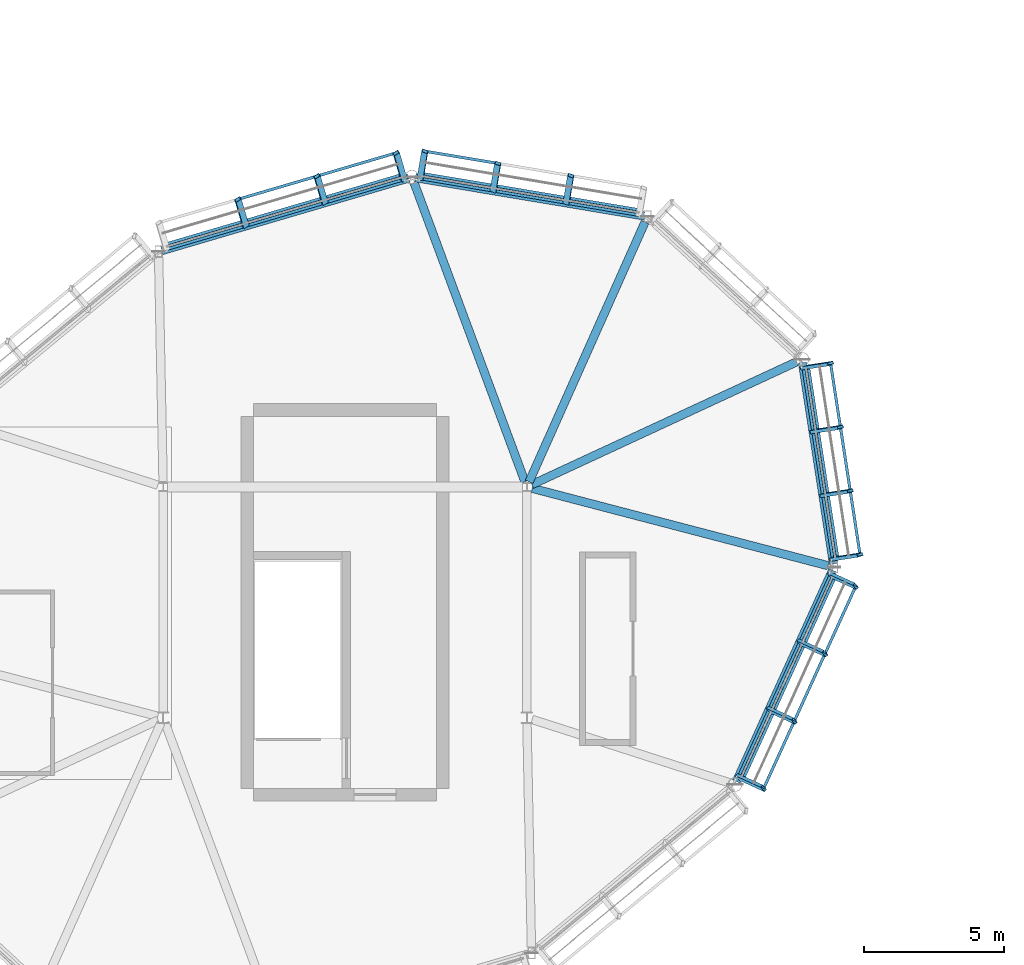
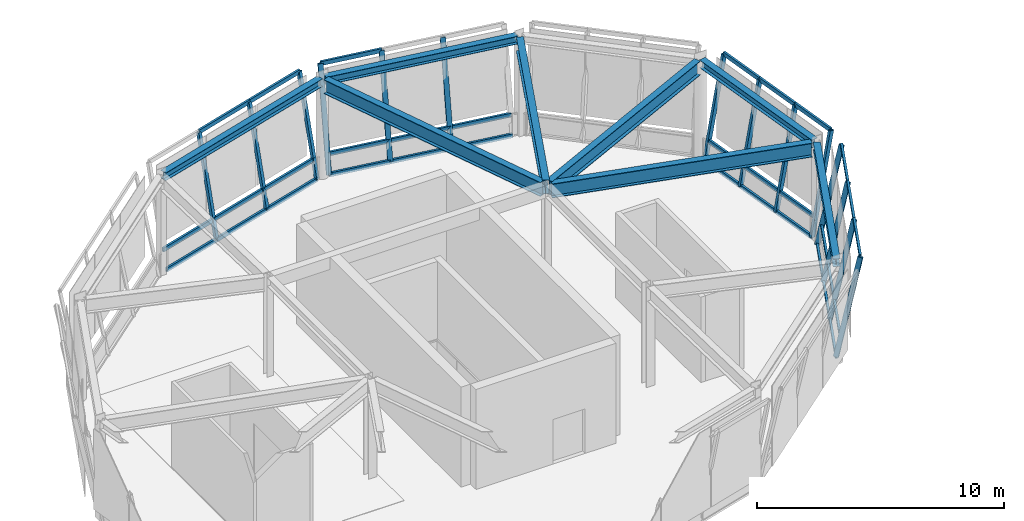
# One storey, part 65 of 113: 47 members, 8 beams, 4 elements without a shape of their own.
"""IFC4 building model written with IfcOpenShell, lengths in metres."""

from ifc_helpers import new_model, si_unit, direction, frame, origin, origin_2d, place, context, subcontext, project, spatial, hollow_rectangle, i_section, extrude, material, material_profile, profile_set, type_object, element, aggregate, save


model = new_model("IFC4")

# Units and contexts
model_context = context("Model", 3, precision=1e-05, world=origin(), true_north=direction((0.0, 1.0)))
body_context = subcontext(model_context, "Body", "Model", "MODEL_VIEW")
ifc_project = project(units=[si_unit("LENGTHUNIT", "METRE"), si_unit("AREAUNIT", "SQUARE_METRE"), si_unit("VOLUMEUNIT", "CUBIC_METRE"), si_unit("PLANEANGLEUNIT", "RADIAN"), si_unit("MASSUNIT", "GRAM", prefix="KILO")], contexts=[model_context])

# Site, building, storey
site_placement = place(None, origin())
site = spatial("IfcSite", under=ifc_project, at=site_placement, CompositionType="ELEMENT")
building_placement = place(site_placement, origin())
building = spatial("IfcBuilding", under=site, at=building_placement, Name="Linyun Crest Stadium", CompositionType="ELEMENT")
storey_placement = place(building_placement, frame((0.0, 0.0, 26.39990234375)))
storey = spatial("IfcBuildingStorey", under=building, at=storey_placement, Name="L06", CompositionType="ELEMENT", Elevation=26.39990234375)

# Beams
ifc_material_1 = material(Name="Steel Q355C", Category="steel")
ifc_material_profile_1 = material_profile(ifc_material_1, i_section(OverallWidth=0.300048828125, OverallDepth=0.389892578125, WebThickness=0.010009765625, FlangeThickness=0.01611328125, at=origin_2d()), Name="HM 390x300")
ifc_profile_set_1 = profile_set([ifc_material_profile_1], Name="Steel Q355C")
beam_type_1 = type_object("IfcBeamType", Name="B06", PredefinedType="BEAM", material=ifc_profile_set_1)
beam_1_placement = place(storey_placement, frame((84.195068359375, 98.43603515625, 4.75), z_axis=(-0.986275969976, 0.165105151487, 0.0), x_axis=(-0.165105151487, -0.986275969976, 0.0)))
element("IfcBeam", 1, at=beam_1_placement, inside=storey, type_object=beam_type_1, Name="Pod ring girder B06 L06 171", PredefinedType="BEAM", context=body_context, shape_type="SweptSolid", body=[
    extrude(i_section(OverallWidth=0.300048828125, OverallDepth=0.389892578125, WebThickness=0.010009765625, FlangeThickness=0.01611328125, at=origin_2d()), origin(), (0.0, 0.0, 1.0), 8.296875),
])
beam_2_placement = place(storey_placement, frame((75.779052734375, 99.7919921875, 4.75), z_axis=(-0.959427571735, -0.281955199623, 0.0), x_axis=(0.281955199623, -0.959427571735, 0.0)))
element("IfcBeam", 2, at=beam_2_placement, inside=storey, type_object=beam_type_1, Name="Pod ring girder B06 L06 173", PredefinedType="BEAM", context=body_context, shape_type="SweptSolid", body=[
    extrude(i_section(OverallWidth=0.300048828125, OverallDepth=0.389892578125, WebThickness=0.010009765625, FlangeThickness=0.01611328125, at=origin_2d()), origin(), (0.0, 0.0, 1.0), 9.203369140625),
])
beam_3_placement = place(storey_placement, frame((87.490966796875, 78.218994140625, 4.75), z_axis=(0.41441702614, 0.910087099373, 0.0), x_axis=(-0.910087099373, 0.41441702614, 0.0)))
element("IfcBeam", 3, at=beam_3_placement, inside=storey, type_object=beam_type_1, Name="Pod ring girder B06 L06 189", PredefinedType="BEAM", context=body_context, shape_type="SweptSolid", body=[
    extrude(i_section(OverallWidth=0.300048828125, OverallDepth=0.389892578125, WebThickness=0.010009765625, FlangeThickness=0.01611328125, at=origin_2d()), origin(), (0.0, 0.0, 1.0), 8.2958984375),
])
beam_4_placement = place(storey_placement, frame((90.9609375, 85.9970703125, 4.75), z_axis=(-0.152213453027, 0.988347643655, 0.0), x_axis=(-0.988347643655, -0.152213453027, 0.0)))
element("IfcBeam", 4, at=beam_4_placement, inside=storey, type_object=beam_type_1, Name="Pod ring girder B06 L06 191", PredefinedType="BEAM", context=body_context, shape_type="SweptSolid", body=[
    extrude(i_section(OverallWidth=0.300048828125, OverallDepth=0.389892578125, WebThickness=0.010009765625, FlangeThickness=0.01611328125, at=origin_2d()), origin(), (0.0, 0.0, 1.0), 7.278564453125),
])
ifc_material_2 = material(Name="Steel Q355C", Category="steel")
ifc_material_profile_2 = material_profile(ifc_material_2, i_section(OverallWidth=0.300048828125, OverallDepth=0.699951171875, WebThickness=0.012939453125, FlangeThickness=0.02392578125, at=origin_2d()), Name="HN 700x300")
ifc_profile_set_2 = profile_set([ifc_material_profile_2], Name="Steel Q355C")
beam_type_2 = type_object("IfcBeamType", Name="B12", PredefinedType="BEAM", material=ifc_profile_set_2)
beam_5_placement = place(storey_placement, frame((80.180908203125, 88.833984375, 4.59521484375), z_axis=(0.907241490816, 0.420610125106, 0.0), x_axis=(-0.420610125106, 0.907241490816, 0.0)))
element("IfcBeam", 5, at=beam_5_placement, inside=storey, type_object=beam_type_2, Name="Pod radial tie girder B12 L06 170", PredefinedType="BEAM", context=body_context, shape_type="SweptSolid", body=[
    extrude(i_section(OverallWidth=0.300048828125, OverallDepth=0.699951171875, WebThickness=0.012939453125, FlangeThickness=0.02392578125, at=origin_2d()), origin(), (0.0, 0.0, 1.0), 10.420654296875),
])
beam_6_placement = place(storey_placement, frame((80.0810546875, 88.93310546875, 4.59521484375), z_axis=(0.407495258441, 0.913207322763, 0.0), x_axis=(-0.913207322763, 0.407495258441, 0.0)))
element("IfcBeam", 6, at=beam_6_placement, inside=storey, type_object=beam_type_2, Name="Pod radial tie girder B12 L06 172", PredefinedType="BEAM", context=body_context, shape_type="SweptSolid", body=[
    extrude(i_section(OverallWidth=0.300048828125, OverallDepth=0.699951171875, WebThickness=0.012939453125, FlangeThickness=0.02392578125, at=origin_2d()), origin(), (0.0, 0.0, 1.0), 10.1640625),
])
beam_7_placement = place(storey_placement, frame((79.929931640625, 88.93798828125, 4.59521484375), z_axis=(-0.347593524127, 0.937645317796, 0.0), x_axis=(-0.937645317796, -0.347593524127, 0.0)))
element("IfcBeam", 7, at=beam_7_placement, inside=storey, type_object=beam_type_2, Name="Pod radial tie girder B12 L06 174", PredefinedType="BEAM", context=body_context, shape_type="SweptSolid", body=[
    extrude(i_section(OverallWidth=0.300048828125, OverallDepth=0.699951171875, WebThickness=0.012939453125, FlangeThickness=0.02392578125, at=origin_2d()), origin(), (0.0, 0.0, 1.0), 11.392578125),
])
beam_8_placement = place(storey_placement, frame((80.193115234375, 88.698974609375, 4.59521484375), z_axis=(0.967466930693, -0.252997505948, 0.0), x_axis=(0.252997505948, 0.967466930693, 0.0)))
element("IfcBeam", 8, at=beam_8_placement, inside=storey, type_object=beam_type_2, Name="Pod radial tie girder B12 L06 192", PredefinedType="BEAM", context=body_context, shape_type="SweptSolid", body=[
    extrude(i_section(OverallWidth=0.300048828125, OverallDepth=0.699951171875, WebThickness=0.012939453125, FlangeThickness=0.02392578125, at=origin_2d()), origin(), (0.0, 0.0, 1.0), 10.928466796875),
])

# Curtain wall, members
ifc_material_3 = material(Name="Verdigris steel and low-E curtain wall assembly", Category="steel")
curtain_wall_type = type_object("IfcCurtainWallType", Name="MCW04", PredefinedType="NOTDEFINED", material=ifc_material_3)
curtain_wall_1_placement = place(storey_placement, origin())
curtain_wall_1 = element("IfcCurtainWall", 9, at=curtain_wall_1_placement, inside=storey, type_object=curtain_wall_type, Name="CWR-062", PredefinedType="NOTDEFINED")
ifc_material_4 = material(Name="Verdigris painted steel Q355C pod mullion", Category="steel")
ifc_material_profile_3 = material_profile(ifc_material_4, hollow_rectangle(XDim=0.1201171875, YDim=0.219970703125, WallThickness=0.008056640625, at=origin_2d()), Name="RHS 220x120x8")
ifc_profile_set_3 = profile_set([ifc_material_profile_3], Name="Verdigris painted steel Q355C pod mullion")
member_type_1 = type_object("IfcMemberType", Name="ML04", PredefinedType="MULLION", material=ifc_profile_set_3)
member_1_placement = place(storey_placement, frame((81.407958984375, 98.903076171875, 0.0), z_axis=(0.032882915676, 0.196559105228, 0.979940422683), x_axis=(0.322257872958, 0.926021062596, -0.196557510528)))
member_1 = element("IfcMember", 10, at=member_1_placement, type_object=member_type_1, Name="CWR-062 mullion 2", PredefinedType="MULLION", context=body_context, shape_type="SweptSolid", body=[
    extrude(hollow_rectangle(XDim=0.1201171875, YDim=0.219970703125, WallThickness=0.008056640625, at=origin_2d()), origin(), (0.0, 0.0, 1.0), 4.959716796875),
])
member_2_placement = place(storey_placement, frame((78.799072265625, 99.339111328125, 0.0), z_axis=(0.032832471524, 0.196748708666, 0.979904063902), x_axis=(0.321875734565, 0.926116536999, -0.19673375764)))
member_2 = element("IfcMember", 11, at=member_2_placement, type_object=member_type_1, Name="CWR-062 mullion 3", PredefinedType="MULLION", context=body_context, shape_type="SweptSolid", body=[
    extrude(hollow_rectangle(XDim=0.1201171875, YDim=0.219970703125, WallThickness=0.008056640625, at=origin_2d()), origin(), (0.0, 0.0, 1.0), 4.959716796875),
])
member_3_placement = place(storey_placement, frame((76.18994140625, 99.77587890625, 0.0), z_axis=(0.032882597472, 0.196606428596, 0.979930939923), x_axis=(0.322218598261, 0.926024967951, -0.196603493527)))
member_3 = element("IfcMember", 12, at=member_3_placement, type_object=member_type_1, Name="CWR-062 mullion 4", PredefinedType="MULLION", context=body_context, shape_type="SweptSolid", body=[
    extrude(hollow_rectangle(XDim=0.1201171875, YDim=0.219970703125, WallThickness=0.008056640625, at=origin_2d()), origin(), (0.0, 0.0, 1.0), 4.959716796875),
])

curtain_wall_2_placement = place(storey_placement, origin())
curtain_wall_2 = element("IfcCurtainWall", 13, at=curtain_wall_2_placement, inside=storey, type_object=curtain_wall_type, Name="CWR-063", PredefinedType="NOTDEFINED")
member_4_placement = place(storey_placement, frame((75.60595703125, 99.740966796875, 0.0), z_axis=(-0.056263528028, 0.191335374841, 0.979910807037), x_axis=(-0.535777028127, 0.822393680307, -0.1913416074)))
member_4 = element("IfcMember", 14, at=member_4_placement, type_object=member_type_1, Name="CWR-063 mullion 1", PredefinedType="MULLION", context=body_context, shape_type="SweptSolid", body=[
    extrude(hollow_rectangle(XDim=0.1201171875, YDim=0.219970703125, WallThickness=0.008056640625, at=origin_2d()), origin(), (0.0, 0.0, 1.0), 4.959716796875),
])
member_5_placement = place(storey_placement, frame((72.778076171875, 98.909912109375, 0.0), z_axis=(-0.056263528028, 0.191335374841, 0.979910807037), x_axis=(-0.535777028127, 0.822393680307, -0.1913416074)))
member_5 = element("IfcMember", 15, at=member_5_placement, type_object=member_type_1, Name="CWR-063 mullion 2", PredefinedType="MULLION", context=body_context, shape_type="SweptSolid", body=[
    extrude(hollow_rectangle(XDim=0.1201171875, YDim=0.219970703125, WallThickness=0.008056640625, at=origin_2d()), origin(), (0.0, 0.0, 1.0), 4.959716796875),
])
member_6_placement = place(storey_placement, frame((69.949951171875, 98.0791015625, 0.0), z_axis=(-0.056263528028, 0.191335374841, 0.979910807037), x_axis=(-0.535777028127, 0.822393680307, -0.1913416074)))
member_6 = element("IfcMember", 16, at=member_6_placement, type_object=member_type_1, Name="CWR-063 mullion 3", PredefinedType="MULLION", context=body_context, shape_type="SweptSolid", body=[
    extrude(hollow_rectangle(XDim=0.1201171875, YDim=0.219970703125, WallThickness=0.008056640625, at=origin_2d()), origin(), (0.0, 0.0, 1.0), 4.959716796875),
])

curtain_wall_3_placement = place(storey_placement, origin())
curtain_wall_3 = element("IfcCurtainWall", 17, at=curtain_wall_3_placement, inside=storey, type_object=curtain_wall_type, Name="CWR-071", PredefinedType="NOTDEFINED")
member_7_placement = place(storey_placement, frame((87.56494140625, 78.383056640625, 0.0), z_axis=(0.181490234966, -0.082696933752, 0.979909440591), x_axis=(-0.746977779315, -0.659688473454, 0.082675965084)))
member_7 = element("IfcMember", 18, at=member_7_placement, type_object=member_type_1, Name="CWR-071 mullion 1", PredefinedType="MULLION", context=body_context, shape_type="SweptSolid", body=[
    extrude(hollow_rectangle(XDim=0.1201171875, YDim=0.219970703125, WallThickness=0.008056640625, at=origin_2d()), origin(), (0.0, 0.0, 1.0), 4.959716796875),
])
member_8_placement = place(storey_placement, frame((88.662109375, 80.7900390625, 0.0), z_axis=(0.181252204132, -0.082700625459, 0.97995318513), x_axis=(-0.747332110531, -0.659298213004, 0.082586820371)))
member_8 = element("IfcMember", 19, at=member_8_placement, type_object=member_type_1, Name="CWR-071 mullion 2", PredefinedType="MULLION", context=body_context, shape_type="SweptSolid", body=[
    extrude(hollow_rectangle(XDim=0.1201171875, YDim=0.219970703125, WallThickness=0.008056640625, at=origin_2d()), origin(), (0.0, 0.0, 1.0), 4.95947265625),
])
member_9_placement = place(storey_placement, frame((89.758056640625, 83.197998046875, 0.0), z_axis=(0.181443369746, -0.082648783995, 0.979922181645), x_axis=(-0.746901902917, -0.659777631544, 0.082650011091)))
member_9 = element("IfcMember", 20, at=member_9_placement, type_object=member_type_1, Name="CWR-071 mullion 3", PredefinedType="MULLION", context=body_context, shape_type="SweptSolid", body=[
    extrude(hollow_rectangle(XDim=0.1201171875, YDim=0.219970703125, WallThickness=0.008056640625, at=origin_2d()), origin(), (0.0, 0.0, 1.0), 4.959716796875),
])
member_10_placement = place(storey_placement, frame((90.85498046875, 85.60498046875, 0.0), z_axis=(0.181443369746, -0.082648783995, 0.979922181645), x_axis=(-0.746901902917, -0.659777631544, 0.082650011091)))
member_10 = element("IfcMember", 21, at=member_10_placement, type_object=member_type_1, Name="CWR-071 mullion 4", PredefinedType="MULLION", context=body_context, shape_type="SweptSolid", body=[
    extrude(hollow_rectangle(XDim=0.1201171875, YDim=0.219970703125, WallThickness=0.008056640625, at=origin_2d()), origin(), (0.0, 0.0, 1.0), 4.959716796875),
])

curtain_wall_4_placement = place(storey_placement, origin())
curtain_wall_4 = element("IfcCurtainWall", 22, at=curtain_wall_4_placement, inside=storey, type_object=curtain_wall_type, Name="CWR-072", PredefinedType="NOTDEFINED")
member_11_placement = place(storey_placement, frame((90.93310546875, 86.175048828125, 0.0), z_axis=(0.196954171611, 0.030224909115, 0.979946686894), x_axis=(0.297268346025, -0.954312688797, -0.030312084268)))
member_11 = element("IfcMember", 23, at=member_11_placement, type_object=member_type_1, Name="CWR-072 mullion 1", PredefinedType="MULLION", context=body_context, shape_type="SweptSolid", body=[
    extrude(hollow_rectangle(XDim=0.1201171875, YDim=0.219970703125, WallThickness=0.008056640625, at=origin_2d()), origin(), (0.0, 0.0, 1.0), 4.95947265625),
])
member_12_placement = place(storey_placement, frame((90.58203125, 88.4541015625, 0.0), z_axis=(0.197189560657, 0.030420156886, 0.97989330604), x_axis=(0.298012512631, -0.954079293793, -0.030351992869)))
member_12 = element("IfcMember", 24, at=member_12_placement, type_object=member_type_1, Name="CWR-072 mullion 2", PredefinedType="MULLION", context=body_context, shape_type="SweptSolid", body=[
    extrude(hollow_rectangle(XDim=0.1201171875, YDim=0.219970703125, WallThickness=0.008056640625, at=origin_2d()), origin(), (0.0, 0.0, 1.0), 4.959716796875),
])
member_13_placement = place(storey_placement, frame((90.23193359375, 90.73388671875, 0.0), z_axis=(0.197001194284, 0.030273796723, 0.979935725792), x_axis=(0.297463905344, -0.954251489613, -0.030320283472)))
member_13 = element("IfcMember", 25, at=member_13_placement, type_object=member_type_1, Name="CWR-072 mullion 3", PredefinedType="MULLION", context=body_context, shape_type="SweptSolid", body=[
    extrude(hollow_rectangle(XDim=0.1201171875, YDim=0.219970703125, WallThickness=0.008056640625, at=origin_2d()), origin(), (0.0, 0.0, 1.0), 4.959716796875),
])
member_14_placement = place(storey_placement, frame((89.881103515625, 93.012939453125, 0.0), z_axis=(0.196953878333, 0.030274090271, 0.979945227688), x_axis=(0.297501139584, -0.954240107788, -0.030313175927)))
member_14 = element("IfcMember", 26, at=member_14_placement, type_object=member_type_1, Name="CWR-072 mullion 4", PredefinedType="MULLION", context=body_context, shape_type="SweptSolid", body=[
    extrude(hollow_rectangle(XDim=0.1201171875, YDim=0.219970703125, WallThickness=0.008056640625, at=origin_2d()), origin(), (0.0, 0.0, 1.0), 4.95947265625),
])

# Member
ifc_material_5 = material(Name="Verdigris painted steel Q355C transom", Category="steel")
ifc_material_profile_4 = material_profile(ifc_material_5, hollow_rectangle(XDim=0.10009765625, YDim=0.199951171875, WallThickness=0.008056640625, at=origin_2d()), Name="RHS 200x100x8")
ifc_profile_set_4 = profile_set([ifc_material_profile_4], Name="Verdigris painted steel Q355C transom")
member_type_2 = type_object("IfcMemberType", Name="TR03", PredefinedType="USERDEFINED", material=ifc_profile_set_4)
member_15_placement = place(storey_placement, frame((84.01708984375, 98.466064453125, 0.0), z_axis=(-0.986261411357, 0.165192095661, 0.0), x_axis=(-0.165192095661, -0.986261411357, 0.0)))
member_15 = element("IfcMember", 27, at=member_15_placement, type_object=member_type_2, Name="CWR-062 transom 1.1", ObjectType="TRANSOM", PredefinedType="USERDEFINED", context=body_context, shape_type="SweptSolid", body=[
    extrude(hollow_rectangle(XDim=0.10009765625, YDim=0.199951171875, WallThickness=0.008056640625, at=origin_2d()), origin(), (0.0, 0.0, 1.0), 2.6455078125),
])

member_16_placement = place(storey_placement, frame((84.047119140625, 98.64697265625, 0.900146484375), z_axis=(-0.986321491601, 0.164832991859, 0.0), x_axis=(-0.164832991859, -0.986321491601, 0.0)))
member_16 = element("IfcMember", 28, at=member_16_placement, type_object=member_type_2, Name="CWR-062 transom 1.2", ObjectType="TRANSOM", PredefinedType="USERDEFINED", context=body_context, shape_type="SweptSolid", body=[
    extrude(hollow_rectangle(XDim=0.10009765625, YDim=0.199951171875, WallThickness=0.008056640625, at=origin_2d()), origin(), (0.0, 0.0, 1.0), 2.645263671875),
])

member_17_placement = place(storey_placement, frame((81.407958984375, 98.903076171875, 0.0), z_axis=(-0.986318983701, 0.164847997837, 0.0), x_axis=(-0.164847997837, -0.986318983701, 0.0)))
member_17 = element("IfcMember", 29, at=member_17_placement, type_object=member_type_2, Name="CWR-062 transom 2.1", ObjectType="TRANSOM", PredefinedType="USERDEFINED", context=body_context, shape_type="SweptSolid", body=[
    extrude(hollow_rectangle(XDim=0.10009765625, YDim=0.199951171875, WallThickness=0.008056640625, at=origin_2d()), origin(), (0.0, 0.0, 1.0), 2.64501953125),
])

member_18_placement = place(storey_placement, frame((81.43798828125, 99.0830078125, 0.900146484375), z_axis=(-0.98625889267, 0.165207132499, 0.0), x_axis=(-0.165207132499, -0.98625889267, 0.0)))
member_18 = element("IfcMember", 30, at=member_18_placement, type_object=member_type_2, Name="CWR-062 transom 2.2", ObjectType="TRANSOM", PredefinedType="USERDEFINED", context=body_context, shape_type="SweptSolid", body=[
    extrude(hollow_rectangle(XDim=0.10009765625, YDim=0.199951171875, WallThickness=0.008056640625, at=origin_2d()), origin(), (0.0, 0.0, 1.0), 2.645263671875),
])

member_19_placement = place(storey_placement, frame((78.799072265625, 99.339111328125, 0.0), z_axis=(-0.986276442989, 0.165102325864, 0.0), x_axis=(-0.165102325864, -0.986276442989, 0.0)))
member_19 = element("IfcMember", 31, at=member_19_placement, type_object=member_type_2, Name="CWR-062 transom 3.1", ObjectType="TRANSOM", PredefinedType="USERDEFINED", context=body_context, shape_type="SweptSolid", body=[
    extrude(hollow_rectangle(XDim=0.10009765625, YDim=0.199951171875, WallThickness=0.008056640625, at=origin_2d()), origin(), (0.0, 0.0, 1.0), 2.6455078125),
])

member_20_placement = place(storey_placement, frame((78.8291015625, 99.52001953125, 0.900146484375), z_axis=(-0.986261411357, 0.165192095661, 0.0), x_axis=(-0.165192095661, -0.986261411357, 0.0)))
member_20 = element("IfcMember", 32, at=member_20_placement, type_object=member_type_2, Name="CWR-062 transom 3.2", ObjectType="TRANSOM", PredefinedType="USERDEFINED", context=body_context, shape_type="SweptSolid", body=[
    extrude(hollow_rectangle(XDim=0.10009765625, YDim=0.199951171875, WallThickness=0.008056640625, at=origin_2d()), origin(), (0.0, 0.0, 1.0), 2.6455078125),
])

member_21_placement = place(storey_placement, frame((78.9619140625, 100.31494140625, 4.860107421875), z_axis=(-0.986318983701, 0.164847997837, 0.0), x_axis=(-0.164847997837, -0.986318983701, 0.0)))
member_21 = element("IfcMember", 33, at=member_21_placement, type_object=member_type_2, Name="CWR-062 transom 3.3", ObjectType="TRANSOM", PredefinedType="USERDEFINED", context=body_context, shape_type="SweptSolid", body=[
    extrude(hollow_rectangle(XDim=0.10009765625, YDim=0.199951171875, WallThickness=0.008056640625, at=origin_2d()), origin(), (0.0, 0.0, 1.0), 2.64501953125),
])

aggregate(curtain_wall_1, [member_1, member_2, member_3, member_15, member_16, member_17, member_18, member_19, member_20, member_21])

member_22_placement = place(storey_placement, frame((75.60595703125, 99.740966796875, 0.0), z_axis=(-0.959427469513, -0.28195554746, 0.0), x_axis=(0.28195554746, -0.959427469513, 0.0)))
member_22 = element("IfcMember", 34, at=member_22_placement, type_object=member_type_2, Name="CWR-063 transom 1.1", ObjectType="TRANSOM", PredefinedType="USERDEFINED", context=body_context, shape_type="SweptSolid", body=[
    extrude(hollow_rectangle(XDim=0.10009765625, YDim=0.199951171875, WallThickness=0.008056640625, at=origin_2d()), origin(), (0.0, 0.0, 1.0), 2.947509765625),
])

member_23_placement = place(storey_placement, frame((75.553955078125, 99.9169921875, 0.900146484375), z_axis=(-0.959427469513, -0.28195554746, 0.0), x_axis=(0.28195554746, -0.959427469513, 0.0)))
member_23 = element("IfcMember", 35, at=member_23_placement, type_object=member_type_2, Name="CWR-063 transom 1.2", ObjectType="TRANSOM", PredefinedType="USERDEFINED", context=body_context, shape_type="SweptSolid", body=[
    extrude(hollow_rectangle(XDim=0.10009765625, YDim=0.199951171875, WallThickness=0.008056640625, at=origin_2d()), origin(), (0.0, 0.0, 1.0), 2.947509765625),
])

member_24_placement = place(storey_placement, frame((75.326904296875, 100.68994140625, 4.860107421875), z_axis=(-0.959427469513, -0.28195554746, 0.0), x_axis=(0.28195554746, -0.959427469513, 0.0)))
member_24 = element("IfcMember", 36, at=member_24_placement, type_object=member_type_2, Name="CWR-063 transom 1.3", ObjectType="TRANSOM", PredefinedType="USERDEFINED", context=body_context, shape_type="SweptSolid", body=[
    extrude(hollow_rectangle(XDim=0.10009765625, YDim=0.199951171875, WallThickness=0.008056640625, at=origin_2d()), origin(), (0.0, 0.0, 1.0), 2.947509765625),
])

member_25_placement = place(storey_placement, frame((72.778076171875, 98.909912109375, 0.0), z_axis=(-0.959456454772, -0.281856898791, 0.0), x_axis=(0.281856898791, -0.959456454772, 0.0)))
member_25 = element("IfcMember", 37, at=member_25_placement, type_object=member_type_2, Name="CWR-063 transom 2.1", ObjectType="TRANSOM", PredefinedType="USERDEFINED", context=body_context, shape_type="SweptSolid", body=[
    extrude(hollow_rectangle(XDim=0.10009765625, YDim=0.199951171875, WallThickness=0.008056640625, at=origin_2d()), origin(), (0.0, 0.0, 1.0), 2.94775390625),
])

member_26_placement = place(storey_placement, frame((72.72607421875, 99.0859375, 0.900146484375), z_axis=(-0.959434053677, -0.281933142154, 0.0), x_axis=(0.281933142154, -0.959434053677, 0.0)))
member_26 = element("IfcMember", 38, at=member_26_placement, type_object=member_type_2, Name="CWR-063 transom 2.2", ObjectType="TRANSOM", PredefinedType="USERDEFINED", context=body_context, shape_type="SweptSolid", body=[
    extrude(hollow_rectangle(XDim=0.10009765625, YDim=0.199951171875, WallThickness=0.008056640625, at=origin_2d()), origin(), (0.0, 0.0, 1.0), 2.94775390625),
])

member_27_placement = place(storey_placement, frame((72.4990234375, 99.85888671875, 4.860107421875), z_axis=(-0.959456454772, -0.281856898791, 0.0), x_axis=(0.281856898791, -0.959456454772, 0.0)))
member_27 = element("IfcMember", 39, at=member_27_placement, type_object=member_type_2, Name="CWR-063 transom 2.3", ObjectType="TRANSOM", PredefinedType="USERDEFINED", context=body_context, shape_type="SweptSolid", body=[
    extrude(hollow_rectangle(XDim=0.10009765625, YDim=0.199951171875, WallThickness=0.008056640625, at=origin_2d()), origin(), (0.0, 0.0, 1.0), 2.94775390625),
])

member_28_placement = place(storey_placement, frame((69.949951171875, 98.0791015625, 0.0), z_axis=(-0.959427469513, -0.28195554746, 0.0), x_axis=(0.28195554746, -0.959427469513, 0.0)))
member_28 = element("IfcMember", 40, at=member_28_placement, type_object=member_type_2, Name="CWR-063 transom 3.1", ObjectType="TRANSOM", PredefinedType="USERDEFINED", context=body_context, shape_type="SweptSolid", body=[
    extrude(hollow_rectangle(XDim=0.10009765625, YDim=0.199951171875, WallThickness=0.008056640625, at=origin_2d()), origin(), (0.0, 0.0, 1.0), 2.947509765625),
])

member_29_placement = place(storey_placement, frame((69.89794921875, 98.2548828125, 0.900146484375), z_axis=(-0.959449874016, -0.281879299083, 0.0), x_axis=(0.281879299083, -0.959449874016, 0.0)))
member_29 = element("IfcMember", 41, at=member_29_placement, type_object=member_type_2, Name="CWR-063 transom 3.2", ObjectType="TRANSOM", PredefinedType="USERDEFINED", context=body_context, shape_type="SweptSolid", body=[
    extrude(hollow_rectangle(XDim=0.10009765625, YDim=0.199951171875, WallThickness=0.008056640625, at=origin_2d()), origin(), (0.0, 0.0, 1.0), 2.947509765625),
])

aggregate(curtain_wall_2, [member_4, member_5, member_6, member_22, member_23, member_24, member_25, member_26, member_27, member_28, member_29])

member_30_placement = place(storey_placement, frame((87.56494140625, 78.383056640625, 0.0), z_axis=(0.414769269545, 0.909926619591, 0.0), x_axis=(-0.909926619591, 0.414769269545, 0.0)))
member_30 = element("IfcMember", 42, at=member_30_placement, type_object=member_type_2, Name="CWR-071 transom 1.1", ObjectType="TRANSOM", PredefinedType="USERDEFINED", context=body_context, shape_type="SweptSolid", body=[
    extrude(hollow_rectangle(XDim=0.10009765625, YDim=0.199951171875, WallThickness=0.008056640625, at=origin_2d()), origin(), (0.0, 0.0, 1.0), 2.645263671875),
])

member_31_placement = place(storey_placement, frame((87.73193359375, 78.306884765625, 0.900146484375), z_axis=(0.414352266897, 0.910116585343, 0.0), x_axis=(-0.910116585343, 0.414352266897, 0.0)))
member_31 = element("IfcMember", 43, at=member_31_placement, type_object=member_type_2, Name="CWR-071 transom 1.2", ObjectType="TRANSOM", PredefinedType="USERDEFINED", context=body_context, shape_type="SweptSolid", body=[
    extrude(hollow_rectangle(XDim=0.10009765625, YDim=0.199951171875, WallThickness=0.008056640625, at=origin_2d()), origin(), (0.0, 0.0, 1.0), 2.64501953125),
])

member_32_placement = place(storey_placement, frame((88.465087890625, 77.972900390625, 4.860107421875), z_axis=(0.414387078143, 0.91010073589, 0.0), x_axis=(-0.91010073589, 0.414387078143, 0.0)))
member_32 = element("IfcMember", 44, at=member_32_placement, type_object=member_type_2, Name="CWR-071 transom 1.3", ObjectType="TRANSOM", PredefinedType="USERDEFINED", context=body_context, shape_type="SweptSolid", body=[
    extrude(hollow_rectangle(XDim=0.10009765625, YDim=0.199951171875, WallThickness=0.008056640625, at=origin_2d()), origin(), (0.0, 0.0, 1.0), 2.644775390625),
])

member_33_placement = place(storey_placement, frame((88.662109375, 80.7900390625, 0.0), z_axis=(0.414247864609, 0.910164109744, 0.0), x_axis=(-0.910164109744, 0.414247864609, 0.0)))
member_33 = element("IfcMember", 45, at=member_33_placement, type_object=member_type_2, Name="CWR-071 transom 2.1", ObjectType="TRANSOM", PredefinedType="USERDEFINED", context=body_context, shape_type="SweptSolid", body=[
    extrude(hollow_rectangle(XDim=0.10009765625, YDim=0.199951171875, WallThickness=0.008056640625, at=origin_2d()), origin(), (0.0, 0.0, 1.0), 2.645751953125),
])

member_34_placement = place(storey_placement, frame((88.827880859375, 80.714111328125, 0.900146484375), z_axis=(0.414629980899, 0.909990098265, 0.0), x_axis=(-0.909990098265, 0.414629980899, 0.0)))
member_34 = element("IfcMember", 46, at=member_34_placement, type_object=member_type_2, Name="CWR-071 transom 2.2", ObjectType="TRANSOM", PredefinedType="USERDEFINED", context=body_context, shape_type="SweptSolid", body=[
    extrude(hollow_rectangle(XDim=0.10009765625, YDim=0.199951171875, WallThickness=0.008056640625, at=origin_2d()), origin(), (0.0, 0.0, 1.0), 2.646240234375),
])

member_35_placement = place(storey_placement, frame((89.56103515625, 80.3798828125, 4.860107421875), z_axis=(0.414518769866, 0.91004076251, 0.0), x_axis=(-0.91004076251, 0.414518769866, 0.0)))
member_35 = element("IfcMember", 47, at=member_35_placement, type_object=member_type_2, Name="CWR-071 transom 2.3", ObjectType="TRANSOM", PredefinedType="USERDEFINED", context=body_context, shape_type="SweptSolid", body=[
    extrude(hollow_rectangle(XDim=0.10009765625, YDim=0.199951171875, WallThickness=0.008056640625, at=origin_2d()), origin(), (0.0, 0.0, 1.0), 2.646240234375),
])

member_36_placement = place(storey_placement, frame((89.758056640625, 83.197998046875, 0.0), z_axis=(0.414692848815, 0.90996145036, 0.0), x_axis=(-0.90996145036, 0.414692848815, 0.0)))
member_36 = element("IfcMember", 48, at=member_36_placement, type_object=member_type_2, Name="CWR-071 transom 3.1", ObjectType="TRANSOM", PredefinedType="USERDEFINED", context=body_context, shape_type="SweptSolid", body=[
    extrude(hollow_rectangle(XDim=0.10009765625, YDim=0.199951171875, WallThickness=0.008056640625, at=origin_2d()), origin(), (0.0, 0.0, 1.0), 2.645263671875),
])

member_37_placement = place(storey_placement, frame((89.925048828125, 83.1220703125, 0.900146484375), z_axis=(0.414692848815, 0.90996145036, 0.0), x_axis=(-0.90996145036, 0.414692848815, 0.0)))
member_37 = element("IfcMember", 49, at=member_37_placement, type_object=member_type_2, Name="CWR-071 transom 3.2", ObjectType="TRANSOM", PredefinedType="USERDEFINED", context=body_context, shape_type="SweptSolid", body=[
    extrude(hollow_rectangle(XDim=0.10009765625, YDim=0.199951171875, WallThickness=0.008056640625, at=origin_2d()), origin(), (0.0, 0.0, 1.0), 2.645263671875),
])

member_38_placement = place(storey_placement, frame((90.657958984375, 82.7880859375, 4.860107421875), z_axis=(0.414692848815, 0.90996145036, 0.0), x_axis=(-0.90996145036, 0.414692848815, 0.0)))
member_38 = element("IfcMember", 50, at=member_38_placement, type_object=member_type_2, Name="CWR-071 transom 3.3", ObjectType="TRANSOM", PredefinedType="USERDEFINED", context=body_context, shape_type="SweptSolid", body=[
    extrude(hollow_rectangle(XDim=0.10009765625, YDim=0.199951171875, WallThickness=0.008056640625, at=origin_2d()), origin(), (0.0, 0.0, 1.0), 2.645263671875),
])

aggregate(curtain_wall_3, [member_7, member_8, member_9, member_10, member_30, member_31, member_32, member_33, member_34, member_35, member_36, member_37, member_38])

member_39_placement = place(storey_placement, frame((90.93310546875, 86.175048828125, 0.0), z_axis=(-0.152248123454, 0.988342303509, 0.0), x_axis=(-0.988342303509, -0.152248123454, 0.0)))
member_39 = element("IfcMember", 51, at=member_39_placement, type_object=member_type_2, Name="CWR-072 transom 1.1", ObjectType="TRANSOM", PredefinedType="USERDEFINED", context=body_context, shape_type="SweptSolid", body=[
    extrude(hollow_rectangle(XDim=0.10009765625, YDim=0.199951171875, WallThickness=0.008056640625, at=origin_2d()), origin(), (0.0, 0.0, 1.0), 2.305908203125),
])

member_40_placement = place(storey_placement, frame((91.114013671875, 86.202880859375, 0.900146484375), z_axis=(-0.152248123454, 0.988342303509, 0.0), x_axis=(-0.988342303509, -0.152248123454, 0.0)))
member_40 = element("IfcMember", 52, at=member_40_placement, type_object=member_type_2, Name="CWR-072 transom 1.2", ObjectType="TRANSOM", PredefinedType="USERDEFINED", context=body_context, shape_type="SweptSolid", body=[
    extrude(hollow_rectangle(XDim=0.10009765625, YDim=0.199951171875, WallThickness=0.008056640625, at=origin_2d()), origin(), (0.0, 0.0, 1.0), 2.305908203125),
])

member_41_placement = place(storey_placement, frame((91.909912109375, 86.324951171875, 4.860107421875), z_axis=(-0.151667464216, 0.988431575931, 0.0), x_axis=(-0.988431575931, -0.151667464216, 0.0)))
member_41 = element("IfcMember", 53, at=member_41_placement, type_object=member_type_2, Name="CWR-072 transom 1.3", ObjectType="TRANSOM", PredefinedType="USERDEFINED", context=body_context, shape_type="SweptSolid", body=[
    extrude(hollow_rectangle(XDim=0.10009765625, YDim=0.199951171875, WallThickness=0.008056640625, at=origin_2d()), origin(), (0.0, 0.0, 1.0), 2.306640625),
])

member_42_placement = place(storey_placement, frame((90.58203125, 88.4541015625, 0.0), z_axis=(-0.15178674483, 0.988413265843, 0.0), x_axis=(-0.988413265843, -0.15178674483, 0.0)))
member_42 = element("IfcMember", 54, at=member_42_placement, type_object=member_type_2, Name="CWR-072 transom 2.1", ObjectType="TRANSOM", PredefinedType="USERDEFINED", context=body_context, shape_type="SweptSolid", body=[
    extrude(hollow_rectangle(XDim=0.10009765625, YDim=0.199951171875, WallThickness=0.008056640625, at=origin_2d()), origin(), (0.0, 0.0, 1.0), 2.306396484375),
])

member_43_placement = place(storey_placement, frame((90.762939453125, 88.48193359375, 0.900146484375), z_axis=(-0.151667464216, 0.988431575931, 0.0), x_axis=(-0.988431575931, -0.151667464216, 0.0)))
member_43 = element("IfcMember", 55, at=member_43_placement, type_object=member_type_2, Name="CWR-072 transom 2.2", ObjectType="TRANSOM", PredefinedType="USERDEFINED", context=body_context, shape_type="SweptSolid", body=[
    extrude(hollow_rectangle(XDim=0.10009765625, YDim=0.199951171875, WallThickness=0.008056640625, at=origin_2d()), origin(), (0.0, 0.0, 1.0), 2.306640625),
])

member_44_placement = place(storey_placement, frame((91.56005859375, 88.60498046875, 4.860107421875), z_axis=(-0.152248123454, 0.988342303509, 0.0), x_axis=(-0.988342303509, -0.152248123454, 0.0)))
member_44 = element("IfcMember", 56, at=member_44_placement, type_object=member_type_2, Name="CWR-072 transom 2.3", ObjectType="TRANSOM", PredefinedType="USERDEFINED", context=body_context, shape_type="SweptSolid", body=[
    extrude(hollow_rectangle(XDim=0.10009765625, YDim=0.199951171875, WallThickness=0.008056640625, at=origin_2d()), origin(), (0.0, 0.0, 1.0), 2.305908203125),
])

member_45_placement = place(storey_placement, frame((90.23193359375, 90.73388671875, 0.0), z_axis=(-0.152144700169, 0.988358229697, 0.0), x_axis=(-0.988358229697, -0.152144700169, 0.0)))
member_45 = element("IfcMember", 57, at=member_45_placement, type_object=member_type_2, Name="CWR-072 transom 3.1", ObjectType="TRANSOM", PredefinedType="USERDEFINED", context=body_context, shape_type="SweptSolid", body=[
    extrude(hollow_rectangle(XDim=0.10009765625, YDim=0.199951171875, WallThickness=0.008056640625, at=origin_2d()), origin(), (0.0, 0.0, 1.0), 2.305908203125),
])

member_46_placement = place(storey_placement, frame((90.4130859375, 90.761962890625, 0.900146484375), z_axis=(-0.152248123454, 0.988342303509, 0.0), x_axis=(-0.988342303509, -0.152248123454, 0.0)))
member_46 = element("IfcMember", 58, at=member_46_placement, type_object=member_type_2, Name="CWR-072 transom 3.2", ObjectType="TRANSOM", PredefinedType="USERDEFINED", context=body_context, shape_type="SweptSolid", body=[
    extrude(hollow_rectangle(XDim=0.10009765625, YDim=0.199951171875, WallThickness=0.008056640625, at=origin_2d()), origin(), (0.0, 0.0, 1.0), 2.305908203125),
])

member_47_placement = place(storey_placement, frame((91.208984375, 90.884033203125, 4.860107421875), z_axis=(-0.152248123454, 0.988342303509, 0.0), x_axis=(-0.988342303509, -0.152248123454, 0.0)))
member_47 = element("IfcMember", 59, at=member_47_placement, type_object=member_type_2, Name="CWR-072 transom 3.3", ObjectType="TRANSOM", PredefinedType="USERDEFINED", context=body_context, shape_type="SweptSolid", body=[
    extrude(hollow_rectangle(XDim=0.10009765625, YDim=0.199951171875, WallThickness=0.008056640625, at=origin_2d()), origin(), (0.0, 0.0, 1.0), 2.305908203125),
])

aggregate(curtain_wall_4, [member_11, member_12, member_13, member_14, member_39, member_40, member_41, member_42, member_43, member_44, member_45, member_46, member_47])

save(model, "model.ifc")
